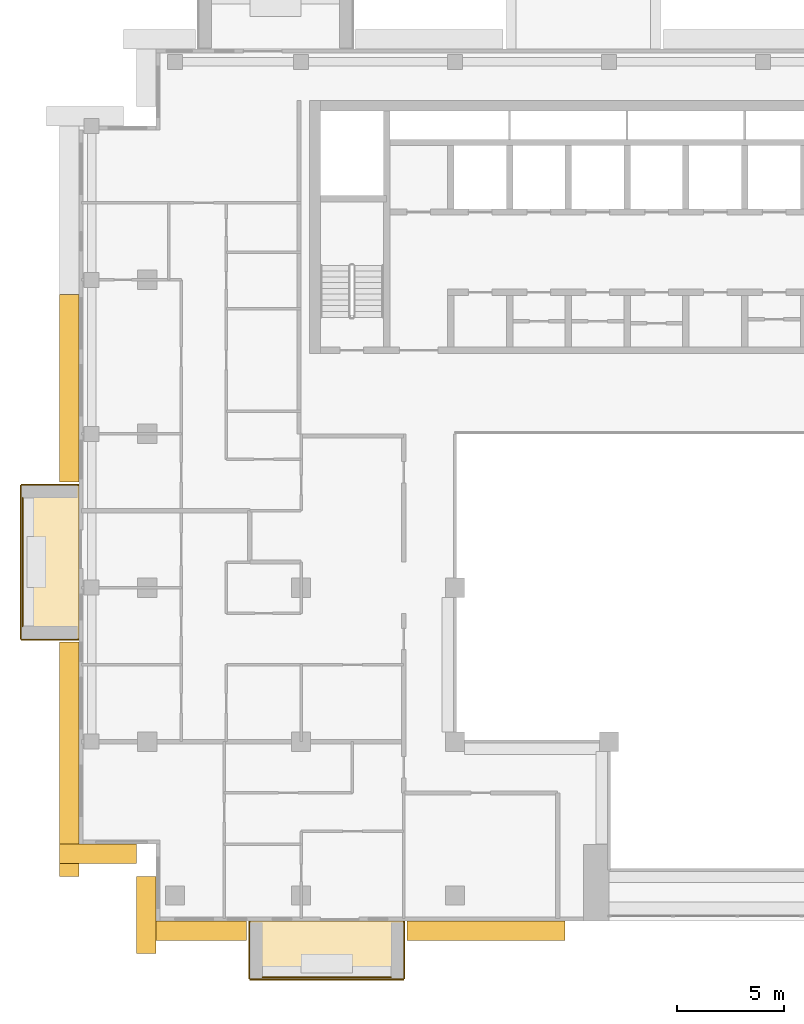
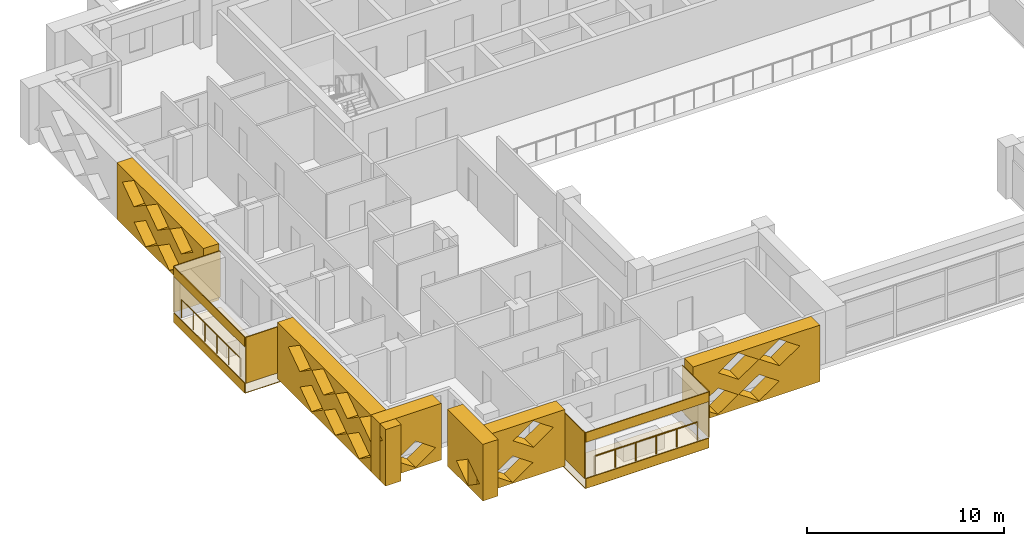
# One storey, part 13 of 19: 16 coverings, 2 railings.
"""IFC4 building model written with IfcOpenShell, lengths in metres."""

from ifc_helpers import new_model, si_unit, direction, frame, origin, origin_2d, place, context, subcontext, project, spatial, polyline, circle, outline, extrude, material, layer, layer_set, type_object, element, save


model = new_model("IFC4")

# Units and contexts
model_context = context("Model", 3, precision=1e-05, world=origin(), true_north=direction((0.0, 1.0)))
body_context = subcontext(model_context, "Body", "Model", "MODEL_VIEW")
ifc_project = project(units=[si_unit("LENGTHUNIT", "METRE"), si_unit("AREAUNIT", "SQUARE_METRE"), si_unit("VOLUMEUNIT", "CUBIC_METRE"), si_unit("PLANEANGLEUNIT", "RADIAN"), si_unit("MASSUNIT", "GRAM", prefix="KILO")], contexts=[model_context])

# Site, building, storey
site_placement = place(None, origin())
site = spatial("IfcSite", under=ifc_project, at=site_placement, CompositionType="ELEMENT")
building_placement = place(site_placement, origin())
building = spatial("IfcBuilding", under=site, at=building_placement, Name="Saffron Iwan Residences", CompositionType="ELEMENT")
storey_placement = place(building_placement, frame((0.0, 0.0, 218.5)))
storey = spatial("IfcBuildingStorey", under=building, at=storey_placement, Name="L58", CompositionType="ELEMENT", Elevation=218.5)

# Railings
ifc_material_1 = material(Name="Stainless steel 316", Category="steel")
railing_type = type_object("IfcRailingType", Name="BALCONY GUARD 1150", PredefinedType="GUARDRAIL", material=ifc_material_1)
railing_1_placement = place(storey_placement, frame((15.77490234375, 59.39990234375, 0.0)))
element("IfcRailing", 1, at=railing_1_placement, inside=storey, type_object=railing_type, Name="Balcony guard L58 F8-1", PredefinedType="GUARDRAIL", context=body_context, shape_type="SweptSolid", body=[
    extrude(circle(Radius=0.02392578125, at=origin_2d()), frame((0.0, 0.0, 1.1259765625), z_axis=(0.0, -1.0, 0.0), x_axis=(1.0, 0.0, 0.0)), (0.0, 0.0, 1.0), 6.0),
    extrude(circle(Radius=0.02099609375, at=origin_2d()), origin(), (0.0, 0.0, 1.0), 1.101806640625),
    extrude(circle(Radius=0.02099609375, at=origin_2d()), frame((0.0, -1.199951171875, 0.0)), (0.0, 0.0, 1.0), 1.101806640625),
    extrude(circle(Radius=0.02099609375, at=origin_2d()), frame((0.0, -2.39990234375, 0.0)), (0.0, 0.0, 1.0), 1.101806640625),
    extrude(circle(Radius=0.02099609375, at=origin_2d()), frame((0.0, -3.60009765625, 0.0)), (0.0, 0.0, 1.0), 1.101806640625),
    extrude(circle(Radius=0.02099609375, at=origin_2d()), frame((0.0, -4.800048828125, 0.0)), (0.0, 0.0, 1.0), 1.101806640625),
    extrude(circle(Radius=0.02099609375, at=origin_2d()), frame((0.0, -6.0, 0.0)), (0.0, 0.0, 1.0), 1.101806640625),
])
railing_2_placement = place(storey_placement, frame((27.0, 36.97509765625, 0.0)))
element("IfcRailing", 2, at=railing_2_placement, inside=storey, type_object=railing_type, Name="Balcony guard L58 11-0", PredefinedType="GUARDRAIL", context=body_context, shape_type="SweptSolid", body=[
    extrude(circle(Radius=0.02392578125, at=origin_2d()), frame((0.0, 0.0, 1.1259765625), z_axis=(1.0, 0.0, 0.0), x_axis=(0.0, 1.0, 0.0)), (0.0, 0.0, 1.0), 6.0),
    extrude(circle(Radius=0.02099609375, at=origin_2d()), origin(), (0.0, 0.0, 1.0), 1.101806640625),
    extrude(circle(Radius=0.02099609375, at=origin_2d()), frame((1.199951171875, 0.0, 0.0)), (0.0, 0.0, 1.0), 1.101806640625),
    extrude(circle(Radius=0.02099609375, at=origin_2d()), frame((2.39990234375, 0.0, 0.0)), (0.0, 0.0, 1.0), 1.101806640625),
    extrude(circle(Radius=0.02099609375, at=origin_2d()), frame((3.60009765625, 0.0, 0.0)), (0.0, 0.0, 1.0), 1.101806640625),
    extrude(circle(Radius=0.02099609375, at=origin_2d()), frame((4.800048828125, 0.0, 0.0)), (0.0, 0.0, 1.0), 1.101806640625),
    extrude(circle(Radius=0.02099609375, at=origin_2d()), frame((6.0, 0.0, 0.0)), (0.0, 0.0, 1.0), 1.101806640625),
])

# Coverings
ifc_material_2 = material(Name="Precast concrete C40/50 white painted", Category="concrete")
ifc_layer = layer(ifc_material_2, 0.050048828125)
ifc_layer_set = layer_set([ifc_layer], Name="Precast concrete C40/50 white painted")
covering_type_1 = type_object("IfcCoveringType", Name="FRAME SKIN PRECAST WHITE 50", PredefinedType="CLADDING", material=ifc_layer_set)
for number, where, name in (
    (3, (0.0, 0.0, -0.60009765625), "Frame skin slab edge L58 F8-1"),
    (4, (0.0, 0.0, 2.25), "Frame skin fascia L58 F8-1"),
):
    element("IfcCovering", number, at=place(storey_placement, frame(where)), inside=storey, type_object=covering_type_1, Name=name, PredefinedType="CLADDING", context=body_context, shape_type="SweptSolid", body=[
        extrude(outline(polyline([(15.64990234375, 60.0), (15.64990234375, 52.800048828125), (15.699951171875, 52.800048828125), (15.699951171875, 60.0), (15.64990234375, 60.0)])), origin(), (0.0, 0.0, 1.0), 0.60009765625),
    ])
covering_1_placement = place(storey_placement, frame((0.0, 0.0, -0.64990234375)))
element("IfcCovering", 5, at=covering_1_placement, inside=storey, type_object=covering_type_1, Name="Frame skin soffit L58 F8-1", PredefinedType="CLADDING", context=body_context, shape_type="SweptSolid", body=[
    extrude(outline(polyline([(15.699951171875, 60.0), (15.699951171875, 52.800048828125), (18.39990234375, 52.800048828125), (18.39990234375, 60.0), (15.699951171875, 60.0)])), origin(), (0.0, 0.0, 1.0), 0.0498046875),
])
covering_2_placement = place(storey_placement, origin())
element("IfcCovering", 6, at=covering_2_placement, inside=storey, type_object=covering_type_1, Name="Frame skin fin L58 F8-1a", PredefinedType="CLADDING", context=body_context, shape_type="SweptSolid", body=[
    extrude(outline(polyline([(15.699951171875, 60.050048828125), (15.699951171875, 60.0), (18.39990234375, 60.0), (18.39990234375, 60.050048828125), (15.699951171875, 60.050048828125)])), origin(), (0.0, 0.0, 1.0), 2.85009765625),
])
covering_3_placement = place(storey_placement, origin())
element("IfcCovering", 7, at=covering_3_placement, inside=storey, type_object=covering_type_1, Name="Frame skin fin L58 F8-1b", PredefinedType="CLADDING", context=body_context, shape_type="SweptSolid", body=[
    extrude(outline(polyline([(15.699951171875, 52.800048828125), (15.699951171875, 52.75), (18.39990234375, 52.75), (18.39990234375, 52.800048828125), (15.699951171875, 52.800048828125)])), origin(), (0.0, 0.0, 1.0), 2.85009765625),
])
for number, where, name in (
    (8, (0.0, 0.0, -0.60009765625), "Frame skin slab edge L58 11-0"),
    (9, (0.0, 0.0, 2.25), "Frame skin fascia L58 11-0"),
):
    element("IfcCovering", number, at=place(storey_placement, frame(where)), inside=storey, type_object=covering_type_1, Name=name, PredefinedType="CLADDING", context=body_context, shape_type="SweptSolid", body=[
        extrude(outline(polyline([(26.39990234375, 36.85009765625), (33.60009765625, 36.85009765625), (33.60009765625, 36.89990234375), (26.39990234375, 36.89990234375), (26.39990234375, 36.85009765625)])), origin(), (0.0, 0.0, 1.0), 0.60009765625),
    ])
covering_4_placement = place(storey_placement, frame((0.0, 0.0, -0.64990234375)))
element("IfcCovering", 10, at=covering_4_placement, inside=storey, type_object=covering_type_1, Name="Frame skin soffit L58 11-0", PredefinedType="CLADDING", context=body_context, shape_type="SweptSolid", body=[
    extrude(outline(polyline([(26.39990234375, 36.89990234375), (33.60009765625, 36.89990234375), (33.60009765625, 39.60009765625), (26.39990234375, 39.60009765625), (26.39990234375, 36.89990234375)])), origin(), (0.0, 0.0, 1.0), 0.0498046875),
])
covering_5_placement = place(storey_placement, origin())
element("IfcCovering", 11, at=covering_5_placement, inside=storey, type_object=covering_type_1, Name="Frame skin fin L58 11-0a", PredefinedType="CLADDING", context=body_context, shape_type="SweptSolid", body=[
    extrude(outline(polyline([(26.35009765625, 36.89990234375), (26.39990234375, 36.89990234375), (26.39990234375, 39.60009765625), (26.35009765625, 39.60009765625), (26.35009765625, 36.89990234375)])), origin(), (0.0, 0.0, 1.0), 2.85009765625),
])
covering_6_placement = place(storey_placement, origin())
element("IfcCovering", 12, at=covering_6_placement, inside=storey, type_object=covering_type_1, Name="Frame skin fin L58 11-0b", PredefinedType="CLADDING", context=body_context, shape_type="SweptSolid", body=[
    extrude(outline(polyline([(33.60009765625, 36.89990234375), (33.64990234375, 36.89990234375), (33.64990234375, 39.60009765625), (33.60009765625, 39.60009765625), (33.60009765625, 36.89990234375)])), origin(), (0.0, 0.0, 1.0), 2.85009765625),
])
ifc_material_3 = material(Name="Precast concrete C40/50", Category="concrete")
covering_type_2 = type_object("IfcCoveringType", Name="OUTER SKIN LATTICE SCREEN", PredefinedType="CLADDING", material=ifc_material_3)
covering_7_placement = place(storey_placement, frame((18.39990234375, 68.925048828125, -0.280029296875), z_axis=(-1.0, 0.0, 0.0), x_axis=(0.0, -1.0, 0.0)))
element("IfcCovering", 13, at=covering_7_placement, inside=storey, type_object=covering_type_2, Name="OUTER SKIN lattice screen L58 F8.1", PredefinedType="CLADDING", context=body_context, shape_type="SweptSolid", body=[
    extrude(outline(polyline([(0.0, 0.0), (8.77490234375, 0.0), (8.77490234375, 3.5), (0.0, 3.5), (0.0, 0.0)]), holes=[polyline([(1.7451171875, 0.875), (2.925048828125, 0.06005859375), (4.10498046875, 0.875), (2.925048828125, 1.68994140625), (1.7451171875, 0.875)]), polyline([(4.14501953125, 0.875), (5.324951171875, 0.06005859375), (6.5048828125, 0.875), (5.324951171875, 1.68994140625), (4.14501953125, 0.875)]), polyline([(0.544921875, 2.625), (1.72509765625, 1.81005859375), (2.905029296875, 2.625), (1.72509765625, 3.43994140625), (0.544921875, 2.625)]), polyline([(2.945068359375, 2.625), (4.125, 1.81005859375), (5.304931640625, 2.625), (4.125, 3.43994140625), (2.945068359375, 2.625)]), polyline([(5.344970703125, 2.625), (6.52490234375, 1.81005859375), (7.705078125, 2.625), (6.52490234375, 3.43994140625), (5.344970703125, 2.625)])]), origin(), (0.0, 0.0, 1.0), 0.89990234375),
])
covering_8_placement = place(storey_placement, frame((18.39990234375, 52.64990234375, -0.280029296875), z_axis=(-1.0, 0.0, 0.0), x_axis=(0.0, -1.0, 0.0)))
element("IfcCovering", 14, at=covering_8_placement, inside=storey, type_object=covering_type_2, Name="OUTER SKIN lattice screen L58 F8.2", PredefinedType="CLADDING", context=body_context, shape_type="SweptSolid", body=[
    extrude(outline(polyline([(0.0, 0.0), (10.949951171875, 0.0), (10.949951171875, 3.5), (0.0, 3.5), (0.0, 0.0)]), holes=[polyline([(2.27001953125, 0.875), (3.449951171875, 0.06005859375), (4.6298828125, 0.875), (3.449951171875, 1.68994140625), (2.27001953125, 0.875)]), polyline([(4.669921875, 0.875), (5.85009765625, 0.06005859375), (7.030029296875, 0.875), (5.85009765625, 1.68994140625), (4.669921875, 0.875)]), polyline([(7.070068359375, 0.875), (8.25, 0.06005859375), (9.429931640625, 0.875), (8.25, 1.68994140625), (7.070068359375, 0.875)]), polyline([(1.070068359375, 2.625), (2.25, 1.81005859375), (3.429931640625, 2.625), (2.25, 3.43994140625), (1.070068359375, 2.625)]), polyline([(3.469970703125, 2.625), (4.64990234375, 1.81005859375), (5.830078125, 2.625), (4.64990234375, 3.43994140625), (3.469970703125, 2.625)]), polyline([(5.8701171875, 2.625), (7.050048828125, 1.81005859375), (8.22998046875, 2.625), (7.050048828125, 3.43994140625), (5.8701171875, 2.625)]), polyline([(8.27001953125, 2.625), (9.449951171875, 1.81005859375), (10.6298828125, 2.625), (9.449951171875, 3.43994140625), (8.27001953125, 2.625)])]), origin(), (0.0, 0.0, 1.0), 0.89990234375),
])
for number, where, z_axis, x_axis, name in (
    (15, (17.5, 43.199951171875, -0.280029296875), (0.0, -1.0, 0.0), (1.0, 0.0, 0.0), "OUTER SKIN lattice screen L58 F9.0"),
    (16, (22.0, 41.699951171875, -0.280029296875), (-1.0, 0.0, 0.0), (0.0, -1.0, 0.0), "OUTER SKIN lattice screen L58 F10.0"),
):
    element("IfcCovering", number, at=place(storey_placement, frame(where, z_axis=z_axis, x_axis=x_axis)), inside=storey, type_object=covering_type_2, Name=name, PredefinedType="CLADDING", context=body_context, shape_type="SweptSolid", body=[
        extrude(outline(polyline([(0.0, 0.0), (3.60009765625, 0.0), (3.60009765625, 3.5), (0.0, 3.5), (0.0, 0.0)]), holes=[polyline([(0.919921875, 0.875), (2.10009765625, 0.06005859375), (3.280029296875, 0.875), (2.10009765625, 1.68994140625), (0.919921875, 0.875)])]), origin(), (0.0, 0.0, 1.0), 0.89990234375),
    ])
covering_9_placement = place(storey_placement, frame((21.10009765625, 39.60009765625, -0.280029296875), z_axis=(0.0, -1.0, 0.0), x_axis=(1.0, 0.0, 0.0)))
element("IfcCovering", 17, at=covering_9_placement, inside=storey, type_object=covering_type_2, Name="OUTER SKIN lattice screen L58 F11.0", PredefinedType="CLADDING", context=body_context, shape_type="SweptSolid", body=[
    extrude(outline(polyline([(0.0, 0.0), (5.14990234375, 0.0), (5.14990234375, 3.5), (0.0, 3.5), (0.0, 0.0)]), holes=[polyline([(0.919921875, 0.875), (2.10009765625, 0.06005859375), (3.280029296875, 0.875), (2.10009765625, 1.68994140625), (0.919921875, 0.875)]), polyline([(2.1201171875, 2.625), (3.300048828125, 1.81005859375), (4.47998046875, 2.625), (3.300048828125, 3.43994140625), (2.1201171875, 2.625)])]), origin(), (0.0, 0.0, 1.0), 0.900146484375),
])
covering_10_placement = place(storey_placement, frame((33.75, 39.60009765625, -0.280029296875), z_axis=(0.0, -1.0, 0.0), x_axis=(1.0, 0.0, 0.0)))
element("IfcCovering", 18, at=covering_10_placement, inside=storey, type_object=covering_type_2, Name="OUTER SKIN lattice screen L58 F11.1", PredefinedType="CLADDING", context=body_context, shape_type="SweptSolid", body=[
    extrude(outline(polyline([(0.0, 0.0), (7.39990234375, 0.0), (7.39990234375, 3.5), (0.0, 3.5), (0.0, 0.0)]), holes=[polyline([(0.27001953125, 0.875), (1.449951171875, 0.06005859375), (2.6298828125, 0.875), (1.449951171875, 1.68994140625), (0.27001953125, 0.875)]), polyline([(2.669921875, 0.875), (3.85009765625, 0.06005859375), (5.030029296875, 0.875), (3.85009765625, 1.68994140625), (2.669921875, 0.875)]), polyline([(1.469970703125, 2.625), (2.64990234375, 1.81005859375), (3.830078125, 2.625), (2.64990234375, 3.43994140625), (1.469970703125, 2.625)]), polyline([(3.8701171875, 2.625), (5.050048828125, 1.81005859375), (6.22998046875, 2.625), (5.050048828125, 3.43994140625), (3.8701171875, 2.625)])]), origin(), (0.0, 0.0, 1.0), 0.900146484375),
])

save(model, "model.ifc")
